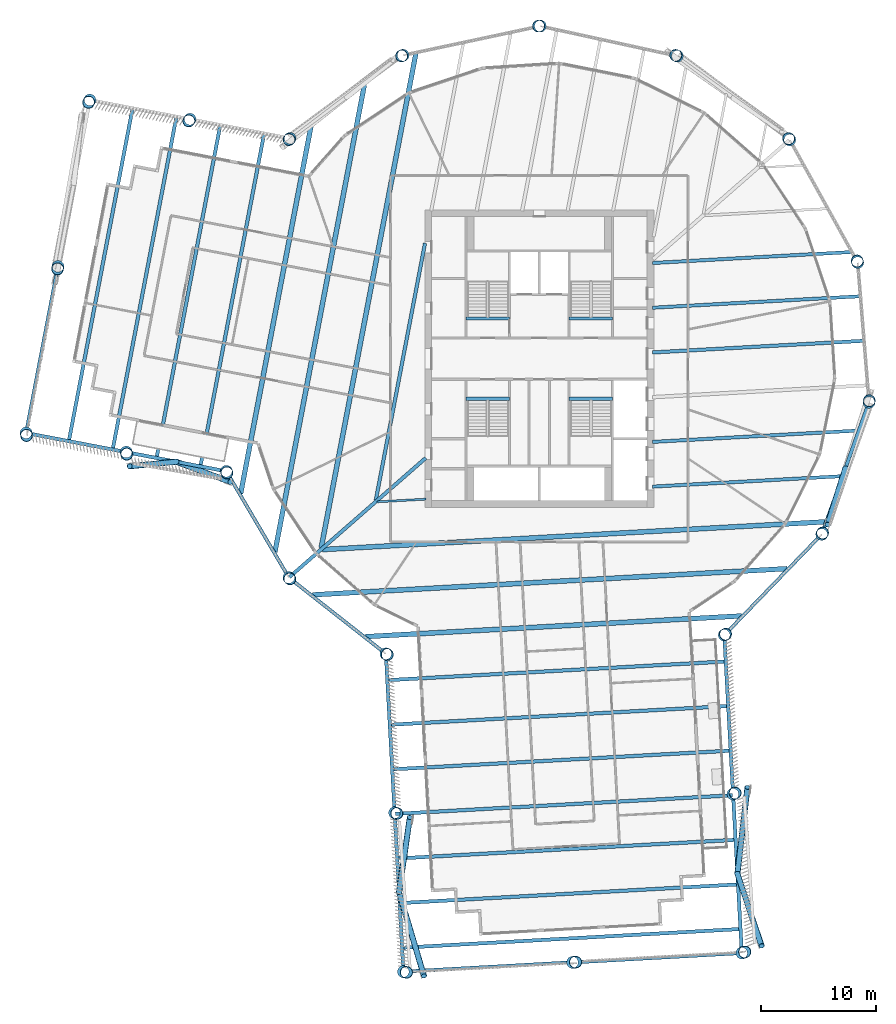
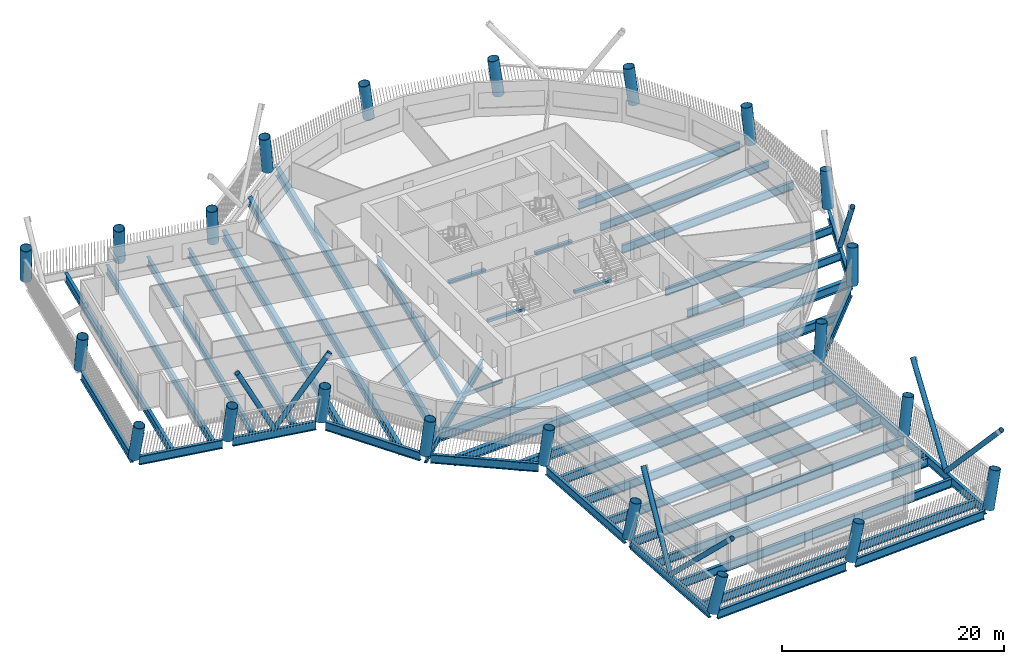
# One storey, part 1 of 23: 42 beams, 22 columns, 7 members.
"""IFC4 building model written with IfcOpenShell, lengths in metres."""

from ifc_helpers import new_model, si_unit, direction, frame, origin, origin_2d, place, context, subcontext, project, spatial, rectangle, hollow_circle, i_section, extrude, material, material_profile, profile_set, type_object, element, save


model = new_model("IFC4")

# Units and contexts
model_context = context("Model", 3, precision=1e-05, world=origin(), true_north=direction((0.0, 1.0)))
body_context = subcontext(model_context, "Body", "Model", "MODEL_VIEW")
ifc_project = project(units=[si_unit("LENGTHUNIT", "METRE"), si_unit("AREAUNIT", "SQUARE_METRE"), si_unit("VOLUMEUNIT", "CUBIC_METRE"), si_unit("PLANEANGLEUNIT", "RADIAN"), si_unit("MASSUNIT", "GRAM", prefix="KILO")], contexts=[model_context])

# Site, building, storey
site_placement = place(None, origin())
site = spatial("IfcSite", under=ifc_project, at=site_placement, CompositionType="ELEMENT")
building_placement = place(site_placement, origin())
building = spatial("IfcBuilding", under=site, at=building_placement, Name="Tarsis Ring Headquarters", CompositionType="ELEMENT")
storey_placement = place(building_placement, frame((0.0, 0.0, 239.39990234375)))
storey = spatial("IfcBuildingStorey", under=building, at=storey_placement, Name="L56", CompositionType="ELEMENT", Elevation=239.39990234375)

# Columns
ifc_material_1 = material(Name="Structural steel S355", Category="steel")
ifc_material_profile_1 = material_profile(ifc_material_1, hollow_circle(Radius=0.533447265625, WallThickness=0.044921875, at=origin_2d()), Name="CHS 1067x45")
ifc_profile_set_1 = profile_set([ifc_material_profile_1], Name="Structural steel S355")
column_type = type_object("IfcColumnType", Name="XC Exo column CHS 1067x45", PredefinedType="COLUMN", material=ifc_profile_set_1)
for number, where, z_axis, x_axis, name in (
    (1, (-21.869873046875, -19.118896484375, 0.001220703125), (0.082313761061, -0.092509725422, 0.992303580283), (0.747076821653, 0.664737709589, 0.0), "Exo column XC5 F1"),
    (2, (-13.3994140625, -25.7734375, 0.001220703125), (0.110352509289, -0.056202066703, 0.992302197615), (0.453828013493, 0.891089296406, 0.0), "Exo column XC5 AK"),
):
    element("IfcColumn", number, at=place(storey_placement, frame(where, z_axis=z_axis, x_axis=x_axis)), inside=storey, type_object=column_type, Name=name, PredefinedType="COLUMN", context=body_context, shape_type="SweptSolid", body=[
        extrude(hollow_circle(Radius=0.533447265625, WallThickness=0.044921875, at=origin_2d()), origin(), (0.0, 0.0, 1.0), 3.927001953125),
    ])
column_1_placement = place(storey_placement, frame((-12.633056640625, -39.654541015625, 0.00146484375), z_axis=(0.168166685995, -0.05200459145, 0.984385843148), x_axis=(0.295440044447, 0.955361282519, 0.0)))
element("IfcColumn", 3, at=column_1_placement, inside=storey, type_object=column_type, Name="Exo column XC5 AI1", PredefinedType="COLUMN", context=body_context, shape_type="SweptSolid", body=[
    extrude(hollow_circle(Radius=0.533447265625, WallThickness=0.044921875, at=origin_2d()), origin(), (0.0, 0.0, 1.0), 3.95751953125),
])
column_2_placement = place(storey_placement, frame((-11.866455078125, -53.53564453125, 0.001708984375), z_axis=(0.224228420883, -0.047774381919, 0.973364897508), x_axis=(0.208383914307, 0.978047107382, 0.0)))
element("IfcColumn", 4, at=column_2_placement, inside=storey, type_object=column_type, Name="Exo column XC5 AT1", PredefinedType="COLUMN", context=body_context, shape_type="SweptSolid", body=[
    extrude(hollow_circle(Radius=0.533447265625, WallThickness=0.044921875, at=origin_2d()), origin(), (0.0, 0.0, 1.0), 4.00146484375),
])
column_3_placement = place(storey_placement, frame((2.910888671875, -52.7197265625, 0.001708984375), z_axis=(0.220803824577, 0.014060044201, 0.975216891881), x_axis=(-0.063547929448, 0.997978787682, 0.0)))
element("IfcColumn", 5, at=column_3_placement, inside=storey, type_object=column_type, Name="Exo column XC5 AT2", PredefinedType="COLUMN", context=body_context, shape_type="SweptSolid", body=[
    extrude(hollow_circle(Radius=0.533447265625, WallThickness=0.044921875, at=origin_2d()), origin(), (0.0, 0.0, 1.0), 3.99365234375),
])
column_4_placement = place(storey_placement, frame((17.6884765625, -51.90380859375, 0.001708984375), z_axis=(0.216416522305, 0.075779340486, 0.973355731698), x_axis=(-0.330480798574, 0.943812715412, 0.0)))
element("IfcColumn", 6, at=column_4_placement, inside=storey, type_object=column_type, Name="Exo column XC5 AT3", PredefinedType="COLUMN", context=body_context, shape_type="SweptSolid", body=[
    extrude(hollow_circle(Radius=0.533447265625, WallThickness=0.044921875, at=origin_2d()), origin(), (0.0, 0.0, 1.0), 4.00146484375),
])
column_5_placement = place(storey_placement, frame((16.921875, -38.022705078125, 0.00146484375), z_axis=(0.160208746546, 0.072917496503, 0.984386202785), x_axis=(-0.41425177958, 0.910162327893, 0.0)))
element("IfcColumn", 7, at=column_5_placement, inside=storey, type_object=column_type, Name="Exo column XC5 AO1", PredefinedType="COLUMN", context=body_context, shape_type="SweptSolid", body=[
    extrude(hollow_circle(Radius=0.533447265625, WallThickness=0.044921875, at=origin_2d()), origin(), (0.0, 0.0, 1.0), 3.95751953125),
])
for number, where, z_axis, x_axis, name in (
    (8, (16.155517578125, -24.1416015625, 0.001220703125), (0.102332453109, 0.069755171561, 0.99230150916), (-0.563243359931, 0.826291061003, 0.0), "Exo column XC5 AJ"),
    (9, (24.670166015625, -15.336181640625, 0.001220703125), (0.064471041597, 0.105690232126, 0.992306938214), (-0.853703609872, 0.520759202022, 0.0), "Exo column XC5 R1"),
    (10, (28.79833984375, -3.803955078125, 0.001220703125), (0.015169577809, 0.122910882491, 0.99230176805), (-0.992469754461, 0.122489944405, 0.0), "Exo column XC5 R2"),
    (11, (27.80615234375, 8.404541015625, 0.001220703125), (-0.036804877093, 0.118248101741, 0.992301762297), (-0.954818795857, -0.29718860523, 0.0), "Exo column XC5 R3"),
    (12, (21.869873046875, 19.118896484375, 0.001220703125), (-0.082313761061, 0.092509725422, 0.992303580283), (-0.747076821653, -0.664737709589, 0.0), "Exo column XC5 R4"),
    (13, (12.044921875, 26.43359375, 0.001220703125), (-0.113088305124, 0.050420349343, 0.992304803786), (-0.407209695958, -0.913334694139, 0.0), "Exo column XC5 R5"),
    (14, (0.078369140625, 29.04833984375, 0.001220703125), (-0.123782192209, -0.000683879515, 0.992309176215), (0.00552477756, -0.9999847383, 0.0), "Exo column XC5 R6"),
    (15, (-11.902099609375, 26.498291015625, 0.001220703125), (-0.112528730877, -0.051663743292, 0.992304460514), (0.417242444036, -0.908795215048, 0.0), "Exo column XC5 R7"),
    (16, (-21.76611328125, 19.236572265625, 0.001220703125), (-0.081256840645, -0.093442258217, 0.992303315639), (0.754594713471, -0.656191144715, 0.0), "Exo column XC5 BJ"),
):
    element("IfcColumn", number, at=place(storey_placement, frame(where, z_axis=z_axis, x_axis=x_axis)), inside=storey, type_object=column_type, Name=name, PredefinedType="COLUMN", context=body_context, shape_type="SweptSolid", body=[
        extrude(hollow_circle(Radius=0.533447265625, WallThickness=0.044921875, at=origin_2d()), origin(), (0.0, 0.0, 1.0), 3.927001953125),
    ])
column_6_placement = place(storey_placement, frame((-30.509521484375, 20.910888671875, 0.00146484375), z_axis=(-0.087633152855, -0.130211972887, 0.987605828576), x_axis=(0.829615846633, -0.558334619217, 0.0)))
element("IfcColumn", 17, at=column_6_placement, inside=storey, type_object=column_type, Name="Exo column XC5 BO1", PredefinedType="COLUMN", context=body_context, shape_type="SweptSolid", body=[
    extrude(hollow_circle(Radius=0.533447265625, WallThickness=0.044921875, at=origin_2d()), origin(), (0.0, 0.0, 1.0), 3.94482421875),
])
column_7_placement = place(storey_placement, frame((-39.2529296875, 22.5849609375, 0.00146484375), z_axis=(-0.093877171657, -0.166345918847, 0.981588565502), x_axis=(0.870886569218, -0.491484062362, 0.0)))
element("IfcColumn", 18, at=column_7_placement, inside=storey, type_object=column_type, Name="Exo column XC5 BT3", PredefinedType="COLUMN", context=body_context, shape_type="SweptSolid", body=[
    extrude(hollow_circle(Radius=0.533447265625, WallThickness=0.044921875, at=origin_2d()), origin(), (0.0, 0.0, 1.0), 3.968505859375),
])
column_8_placement = place(storey_placement, frame((-42.036376953125, 8.049072265625, 0.00146484375), z_axis=(-0.032483822401, -0.177890534057, 0.983513985246), x_axis=(0.983733278746, -0.179635286867, 0.0)))
element("IfcColumn", 19, at=column_8_placement, inside=storey, type_object=column_type, Name="Exo column XC5 BT2", PredefinedType="COLUMN", context=body_context, shape_type="SweptSolid", body=[
    extrude(hollow_circle(Radius=0.533447265625, WallThickness=0.044921875, at=origin_2d()), origin(), (0.0, 0.0, 1.0), 3.960693359375),
])
column_9_placement = place(storey_placement, frame((-44.819580078125, -6.48681640625, 0.00146484375), z_axis=(0.028913711246, -0.188800382583, 0.981589737537), x_axis=(0.988475723721, 0.151379468931, 0.0)))
element("IfcColumn", 20, at=column_9_placement, inside=storey, type_object=column_type, Name="Exo column XC5 BT1", PredefinedType="COLUMN", context=body_context, shape_type="SweptSolid", body=[
    extrude(hollow_circle(Radius=0.533447265625, WallThickness=0.044921875, at=origin_2d()), origin(), (0.0, 0.0, 1.0), 3.968505859375),
])
column_10_placement = place(storey_placement, frame((-36.076171875, -8.1611328125, 0.00146484375), z_axis=(0.035895241254, -0.15274044037, 0.987614241256), x_axis=(0.973479208467, 0.2287755028, 0.0)))
element("IfcColumn", 21, at=column_10_placement, inside=storey, type_object=column_type, Name="Exo column XC5 BI1", PredefinedType="COLUMN", context=body_context, shape_type="SweptSolid", body=[
    extrude(hollow_circle(Radius=0.533447265625, WallThickness=0.044921875, at=origin_2d()), origin(), (0.0, 0.0, 1.0), 3.94482421875),
])
column_11_placement = place(storey_placement, frame((-27.332763671875, -9.835205078125, 0.001220703125), z_axis=(0.042897477438, -0.116196210627, 0.992299474486), x_axis=(0.938111528087, 0.346333308925, 0.0)))
element("IfcColumn", 22, at=column_11_placement, inside=storey, type_object=column_type, Name="Exo column XC5 BK", PredefinedType="COLUMN", context=body_context, shape_type="SweptSolid", body=[
    extrude(hollow_circle(Radius=0.533447265625, WallThickness=0.044921875, at=origin_2d()), origin(), (0.0, 0.0, 1.0), 3.927001953125),
])

# Beams
ifc_material_profile_2 = material_profile(ifc_material_1, i_section(OverallWidth=0.177734375, OverallDepth=0.406494140625, WebThickness=0.0078125, FlangeThickness=0.0126953125, at=origin_2d()), Name="W16x40")
ifc_profile_set_2 = profile_set([ifc_material_profile_2], Name="Structural steel S355")
beam_type_1 = type_object("IfcBeamType", Name="FB Floor beam W16x40", PredefinedType="JOIST", material=ifc_profile_set_2)
beam_1_placement = place(storey_placement, frame((-14.15625, -12.499267578125, -0.363037109375), z_axis=(0.998480903346, 0.055098871624, 0.0), x_axis=(-0.055098871624, 0.998480903346, 0.0)))
element("IfcBeam", 23, at=beam_1_placement, inside=storey, type_object=beam_type_1, Name="Floor beam FB1", PredefinedType="JOIST", context=body_context, shape_type="SweptSolid", body=[
    extrude(i_section(OverallWidth=0.177734375, OverallDepth=0.406494140625, WebThickness=0.0078125, FlangeThickness=0.0126953125, at=origin_2d()), origin(), (0.0, 0.0, 1.0), 4.2626953125),
])
ifc_material_profile_3 = material_profile(ifc_material_1, i_section(OverallWidth=0.2919921875, OverallDepth=0.835693359375, WebThickness=0.013916015625, FlangeThickness=0.018798828125, at=origin_2d()), Name="W33x118")
ifc_profile_set_3 = profile_set([ifc_material_profile_3], Name="Structural steel S355")
beam_type_2 = type_object("IfcBeamType", Name="FB Floor beam W33x118", PredefinedType="JOIST", material=ifc_profile_set_3)
beam_2_placement = place(storey_placement, frame((9.900146484375, 8.3583984375, -0.57763671875), z_axis=(0.998479685267, 0.05512094075, 0.0), x_axis=(-0.05512094075, 0.998479685267, 0.0)))
element("IfcBeam", 24, at=beam_2_placement, inside=storey, type_object=beam_type_2, Name="Floor beam FB7", PredefinedType="JOIST", context=body_context, shape_type="SweptSolid", body=[
    extrude(i_section(OverallWidth=0.2919921875, OverallDepth=0.835693359375, WebThickness=0.013916015625, FlangeThickness=0.018798828125, at=origin_2d()), origin(), (0.0, 0.0, 1.0), 17.353515625),
])
beam_3_placement = place(storey_placement, frame((9.900146484375, 4.452392578125, -0.57763671875), z_axis=(0.998479448559, 0.055125228395, 0.0), x_axis=(-0.055125228395, 0.998479448559, 0.0)))
element("IfcBeam", 25, at=beam_3_placement, inside=storey, type_object=beam_type_2, Name="Floor beam FB7", PredefinedType="JOIST", context=body_context, shape_type="SweptSolid", body=[
    extrude(i_section(OverallWidth=0.2919921875, OverallDepth=0.835693359375, WebThickness=0.013916015625, FlangeThickness=0.018798828125, at=origin_2d()), origin(), (0.0, 0.0, 1.0), 18.118408203125),
])
beam_4_placement = place(storey_placement, frame((9.900146484375, -7.265380859375, -0.57763671875), z_axis=(0.998479102403, 0.055131497941, 0.0), x_axis=(-0.055131497941, 0.998479102403, 0.0)))
element("IfcBeam", 26, at=beam_4_placement, inside=storey, type_object=beam_type_2, Name="Floor beam FB7", PredefinedType="JOIST", context=body_context, shape_type="SweptSolid", body=[
    extrude(i_section(OverallWidth=0.2919921875, OverallDepth=0.835693359375, WebThickness=0.013916015625, FlangeThickness=0.018798828125, at=origin_2d()), origin(), (0.0, 0.0, 1.0), 17.974609375),
])
beam_5_placement = place(storey_placement, frame((9.900146484375, -11.171142578125, -0.57763671875), z_axis=(0.998480219834, 0.055111256574, 0.0), x_axis=(-0.055111256574, 0.998480219834, 0.0)))
element("IfcBeam", 27, at=beam_5_placement, inside=storey, type_object=beam_type_2, Name="Floor beam FB7", PredefinedType="JOIST", context=body_context, shape_type="SweptSolid", body=[
    extrude(i_section(OverallWidth=0.2919921875, OverallDepth=0.835693359375, WebThickness=0.013916015625, FlangeThickness=0.018798828125, at=origin_2d()), origin(), (0.0, 0.0, 1.0), 16.5458984375),
])
ifc_material_profile_4 = material_profile(ifc_material_1, i_section(OverallWidth=0.3046875, OverallDepth=0.904296875, WebThickness=0.01513671875, FlangeThickness=0.02001953125, at=origin_2d()), Name="W36x135")
ifc_profile_set_4 = profile_set([ifc_material_profile_4], Name="Structural steel S355")
beam_type_3 = type_object("IfcBeamType", Name="FB Floor beam W36x135", PredefinedType="JOIST", material=ifc_profile_set_4)
beam_6_placement = place(storey_placement, frame((9.900146484375, 0.546630859375, -0.612060546875), z_axis=(0.998479769768, 0.055119410056, 0.0), x_axis=(-0.055119410056, 0.998479769768, 0.0)))
element("IfcBeam", 28, at=beam_6_placement, inside=storey, type_object=beam_type_3, Name="Floor beam FB8", PredefinedType="JOIST", context=body_context, shape_type="SweptSolid", body=[
    extrude(i_section(OverallWidth=0.3046875, OverallDepth=0.904296875, WebThickness=0.01513671875, FlangeThickness=0.02001953125, at=origin_2d()), origin(), (0.0, 0.0, 1.0), 18.434814453125),
])
ifc_material_profile_5 = material_profile(ifc_material_1, i_section(OverallWidth=0.3046875, OverallDepth=0.91943359375, WebThickness=0.017333984375, FlangeThickness=0.02783203125, at=origin_2d()), Name="W36x170")
ifc_profile_set_5 = profile_set([ifc_material_profile_5], Name="Structural steel S355")
beam_type_4 = type_object("IfcBeamType", Name="FB Floor beam W36x170", PredefinedType="JOIST", material=ifc_profile_set_5)
beam_7_placement = place(storey_placement, frame((-9.981201171875, 10.08642578125, -0.61962890625), z_axis=(-0.188066350728, -0.982156325502, 0.0), x_axis=(0.982156325502, -0.188066350728, 0.0)))
element("IfcBeam", 29, at=beam_7_placement, inside=storey, type_object=beam_type_4, Name="Floor beam FB9", PredefinedType="JOIST", context=body_context, shape_type="SweptSolid", body=[
    extrude(i_section(OverallWidth=0.3046875, OverallDepth=0.91943359375, WebThickness=0.017333984375, FlangeThickness=0.02783203125, at=origin_2d()), origin(), (0.0, 0.0, 1.0), 22.852783203125),
])
ifc_material_profile_6 = material_profile(ifc_material_1, i_section(OverallWidth=0.309814453125, OverallDepth=0.949951171875, WebThickness=0.0244140625, FlangeThickness=0.0439453125, at=origin_2d()), Name="W36x256")
ifc_profile_set_6 = profile_set([ifc_material_profile_6], Name="Structural steel S355")
beam_type_5 = type_object("IfcBeamType", Name="FB Floor beam W36x256", PredefinedType="JOIST", material=ifc_profile_set_6)
for number, where, z_axis, x_axis, name in (
    (30, (-13.2177734375, -28.0712890625, -0.635009765625), (0.998479297452, 0.055127965323, 0.0), (-0.055127965323, 0.998479297452, 0.0), "Floor beam FB11"),
    (31, (-13.002685546875, -31.96533203125, -0.635009765625), (0.998479753112, 0.055119711762, 0.0), (-0.055119711762, 0.998479753112, 0.0), "Floor beam FB11"),
    (32, (-12.787841796875, -35.859375, -0.635009765625), (0.998479753112, 0.055119711762, 0.0), (-0.055119711762, 0.998479753112, 0.0), "Floor beam FB11"),
    (33, (-12.57275390625, -39.75341796875, -0.635009765625), (0.998479753112, 0.055119711762, 0.0), (-0.055119711762, 0.998479753112, 0.0), "Floor beam FB11"),
    (34, (-12.35791015625, -43.6474609375, -0.635009765625), (0.998479753112, 0.055119711762, 0.0), (-0.055119711762, 0.998479753112, 0.0), "Floor beam FB11"),
    (35, (-12.142822265625, -47.541748046875, -0.635009765625), (0.998479297452, 0.055127965323, 0.0), (-0.055127965323, 0.998479297452, 0.0), "Floor beam FB11"),
):
    element("IfcBeam", number, at=place(storey_placement, frame(where, z_axis=z_axis, x_axis=x_axis)), inside=storey, type_object=beam_type_5, Name=name, PredefinedType="JOIST", context=body_context, shape_type="SweptSolid", body=[
        extrude(i_section(OverallWidth=0.309814453125, OverallDepth=0.949951171875, WebThickness=0.0244140625, FlangeThickness=0.0439453125, at=origin_2d()), origin(), (0.0, 0.0, 1.0), 29.490234375),
    ])
for number, where, z_axis, x_axis, name in (
    (36, (-11.927734375, -51.435791015625, -0.635009765625), (0.998479272291, 0.055128421022, 0.0), (-0.055128421022, 0.998479272291, 0.0), "Floor beam FB11"),
    (37, (-24.039794921875, 19.6162109375, -0.635009765625), (-0.188068022964, -0.982156005296, 0.0), (0.982156005296, -0.188068022964, 0.0), "Floor beam FB11"),
    (38, (-27.8701171875, 20.349609375, -0.635009765625), (-0.188068022964, -0.982156005296, 0.0), (0.982156005296, -0.188068022964, 0.0), "Floor beam FB11"),
    (39, (-31.70068359375, 21.0830078125, -0.635009765625), (-0.188068022964, -0.982156005296, 0.0), (0.982156005296, -0.188068022964, 0.0), "Floor beam FB11"),
    (40, (-35.531005859375, 21.816650390625, -0.635009765625), (-0.188068022964, -0.982156005296, 0.0), (0.982156005296, -0.188068022964, 0.0), "Floor beam FB11"),
):
    element("IfcBeam", number, at=place(storey_placement, frame(where, z_axis=z_axis, x_axis=x_axis)), inside=storey, type_object=beam_type_5, Name=name, PredefinedType="JOIST", context=body_context, shape_type="SweptSolid", body=[
        extrude(i_section(OverallWidth=0.309814453125, OverallDepth=0.949951171875, WebThickness=0.0244140625, FlangeThickness=0.0439453125, at=origin_2d()), origin(), (0.0, 0.0, 1.0), 29.489990234375),
    ])
beam_type_6 = type_object("IfcBeamType", Name="FB Floor beam W36x256 spine", PredefinedType="BEAM", material=ifc_profile_set_6)
beam_8_placement = place(storey_placement, frame((-9.9248046875, -8.67626953125, -0.635009765625), z_axis=(-0.752870325595, -0.658168878662, 0.0), x_axis=(0.658168878662, -0.752870325595, 0.0)))
element("IfcBeam", 41, at=beam_8_placement, inside=storey, type_object=beam_type_6, Name="Floor beam SB11", PredefinedType="BEAM", context=body_context, shape_type="SweptSolid", body=[
    extrude(i_section(OverallWidth=0.309814453125, OverallDepth=0.949951171875, WebThickness=0.0244140625, FlangeThickness=0.0439453125, at=origin_2d()), origin(), (0.0, 0.0, 1.0), 15.808349609375),
])
ifc_material_profile_7 = material_profile(ifc_material_1, i_section(OverallWidth=0.42431640625, OverallDepth=0.947509765625, WebThickness=0.02392578125, FlangeThickness=0.042724609375, at=origin_2d()), Name="W36x302")
ifc_profile_set_7 = profile_set([ifc_material_profile_7], Name="Structural steel S355")
beam_type_7 = type_object("IfcBeamType", Name="FB Floor beam W36x302", PredefinedType="JOIST", material=ifc_profile_set_7)
beam_9_placement = place(storey_placement, frame((-18.92529296875, -16.668701171875, -0.633544921875), z_axis=(0.998479404218, 0.055126031533, 0.0), x_axis=(-0.055126031533, 0.998479404218, 0.0)))
element("IfcBeam", 42, at=beam_9_placement, inside=storey, type_object=beam_type_7, Name="Floor beam FB12", PredefinedType="JOIST", context=body_context, shape_type="SweptSolid", body=[
    extrude(i_section(OverallWidth=0.42431640625, OverallDepth=0.947509765625, WebThickness=0.02392578125, FlangeThickness=0.042724609375, at=origin_2d()), origin(), (0.0, 0.0, 1.0), 43.986572265625),
])
beam_10_placement = place(storey_placement, frame((-19.810791015625, -20.623291015625, -0.633544921875), z_axis=(0.998479703569, 0.055120609228, 0.0), x_axis=(-0.055120609228, 0.998479703569, 0.0)))
element("IfcBeam", 43, at=beam_10_placement, inside=storey, type_object=beam_type_7, Name="Floor beam FB12", PredefinedType="JOIST", context=body_context, shape_type="SweptSolid", body=[
    extrude(i_section(OverallWidth=0.42431640625, OverallDepth=0.947509765625, WebThickness=0.02392578125, FlangeThickness=0.042724609375, at=origin_2d()), origin(), (0.0, 0.0, 1.0), 41.52392578125),
])
beam_11_placement = place(storey_placement, frame((-15.16552734375, -24.27294921875, -0.633544921875), z_axis=(0.998479464683, 0.055124936345, 0.0), x_axis=(-0.055124936345, 0.998479464683, 0.0)))
element("IfcBeam", 44, at=beam_11_placement, inside=storey, type_object=beam_type_7, Name="Floor beam FB12", PredefinedType="JOIST", context=body_context, shape_type="SweptSolid", body=[
    extrude(i_section(OverallWidth=0.42431640625, OverallDepth=0.947509765625, WebThickness=0.02392578125, FlangeThickness=0.042724609375, at=origin_2d()), origin(), (0.0, 0.0, 1.0), 32.87548828125),
])
beam_12_placement = place(storey_placement, frame((-10.77587890625, 26.673828125, -0.633544921875), z_axis=(-0.18806691679, -0.982156217111, 0.0), x_axis=(0.982156217111, -0.18806691679, 0.0)))
element("IfcBeam", 45, at=beam_12_placement, inside=storey, type_object=beam_type_7, Name="Floor beam FB12", PredefinedType="JOIST", context=body_context, shape_type="SweptSolid", body=[
    extrude(i_section(OverallWidth=0.42431640625, OverallDepth=0.947509765625, WebThickness=0.02392578125, FlangeThickness=0.042724609375, at=origin_2d()), origin(), (0.0, 0.0, 1.0), 43.98681640625),
])
beam_13_placement = place(storey_placement, frame((-15.276611328125, 23.906005859375, -0.633544921875), z_axis=(-0.18806816796, -0.982155977531, 0.0), x_axis=(0.982155977531, -0.18806816796, 0.0)))
element("IfcBeam", 46, at=beam_13_placement, inside=storey, type_object=beam_type_7, Name="Floor beam FB12", PredefinedType="JOIST", context=body_context, shape_type="SweptSolid", body=[
    extrude(i_section(OverallWidth=0.42431640625, OverallDepth=0.947509765625, WebThickness=0.02392578125, FlangeThickness=0.042724609375, at=origin_2d()), origin(), (0.0, 0.0, 1.0), 41.52392578125),
])
beam_14_placement = place(storey_placement, frame((-19.899169921875, 20.503173828125, -0.633544921875), z_axis=(-0.188062058889, -0.982157147307, 0.0), x_axis=(0.982157147307, -0.188062058889, 0.0)))
element("IfcBeam", 47, at=beam_14_placement, inside=storey, type_object=beam_type_7, Name="Floor beam FB12", PredefinedType="JOIST", context=body_context, shape_type="SweptSolid", body=[
    extrude(i_section(OverallWidth=0.42431640625, OverallDepth=0.947509765625, WebThickness=0.02392578125, FlangeThickness=0.042724609375, at=origin_2d()), origin(), (0.0, 0.0, 1.0), 32.87548828125),
])
ifc_material_2 = material(Name="Concrete C40/50", Category="concrete")
ifc_material_profile_8 = material_profile(ifc_material_2, rectangle(XDim=0.300048828125, YDim=0.300048828125, at=origin_2d()), Name="Stair head beam 300x300 C40/50")
ifc_profile_set_8 = profile_set([ifc_material_profile_8], Name="Concrete C40/50")
beam_type_8 = type_object("IfcBeamType", Name="Stair head beam 300x300 C40/50", PredefinedType="BEAM", material=ifc_profile_set_8)
for number, where, z_axis, x_axis, name in (
    (48, (-6.39990234375, 3.510009765625, -0.309814453125), (1.0, 0.0, 0.0), (0.0, 1.0, 0.0), "Stair head beam L56 Firefighting stair"),
    (49, (2.60009765625, 3.510009765625, -0.309814453125), (1.0, 0.0, 0.0), (0.0, 1.0, 0.0), "Stair head beam L56 Exit stair B"),
    (50, (-6.39990234375, -3.510009765625, -0.309814453125), (1.0, 0.0, 0.0), (0.0, 1.0, 0.0), "Stair head beam L56 Exit stair C"),
    (51, (2.60009765625, -3.510009765625, -0.309814453125), (1.0, 0.0, 0.0), (0.0, 1.0, 0.0), "Stair head beam L56 Exit stair D"),
):
    element("IfcBeam", number, at=place(storey_placement, frame(where, z_axis=z_axis, x_axis=x_axis)), inside=storey, type_object=beam_type_8, Name=name, PredefinedType="BEAM", context=body_context, shape_type="SweptSolid", body=[
        extrude(rectangle(XDim=0.300048828125, YDim=0.300048828125, at=origin_2d()), origin(), (0.0, 0.0, 1.0), 3.7998046875),
    ])

# Members
ifc_material_profile_9 = material_profile(ifc_material_1, hollow_circle(Radius=0.25390625, WallThickness=0.02001953125, at=origin_2d()), Name="CHS 508x20")
ifc_profile_set_9 = profile_set([ifc_material_profile_9], Name="Structural steel S355")
member_type = type_object("IfcMemberType", Name="XD X brace CHS 508x20", PredefinedType="BRACE", material=ifc_profile_set_9)
member_1_placement = place(storey_placement, frame((-12.25, -46.594970703125, 0.0), z_axis=(0.202064776172, -0.677601869587, 0.707124835204), x_axis=(0.958298221981, 0.285770043476, 0.0)))
element("IfcMember", 52, at=member_1_placement, inside=storey, type_object=member_type, Name="X brace XD2", PredefinedType="BRACE", context=body_context, shape_type="SweptSolid", body=[
    extrude(hollow_circle(Radius=0.25390625, WallThickness=0.02001953125, at=origin_2d()), origin(), (0.0, 0.0, 1.0), 10.783447265625),
])
member_2_placement = place(storey_placement, frame((-12.25, -46.594970703125, 0.0), z_axis=(0.09403395266, 0.648292235129, 0.75556256764), x_axis=(-0.989643569964, 0.143546523567, 0.0)))
element("IfcMember", 53, at=member_2_placement, inside=storey, type_object=member_type, Name="X brace XD2", PredefinedType="BRACE", context=body_context, shape_type="SweptSolid", body=[
    extrude(hollow_circle(Radius=0.25390625, WallThickness=0.02001953125, at=origin_2d()), origin(), (0.0, 0.0, 1.0), 10.089111328125),
])
member_3_placement = place(storey_placement, frame((17.304931640625, -44.96337890625, 0.0), z_axis=(0.081652381669, 0.70027989753, 0.709183300482), x_axis=(-0.993270800145, 0.115815014482, 0.0)))
element("IfcMember", 54, at=member_3_placement, inside=storey, type_object=member_type, Name="X brace XD2", PredefinedType="BRACE", context=body_context, shape_type="SweptSolid", body=[
    extrude(hollow_circle(Radius=0.25390625, WallThickness=0.02001953125, at=origin_2d()), origin(), (0.0, 0.0, 1.0), 10.7490234375),
])
member_4_placement = place(storey_placement, frame((17.304931640625, -44.96337890625, 0.0), z_axis=(0.208150085288, -0.624160924112, 0.753058220064), x_axis=(0.948639314405, 0.316359686378, 0.0)))
element("IfcMember", 55, at=member_4_placement, inside=storey, type_object=member_type, Name="X brace XD2", PredefinedType="BRACE", context=body_context, shape_type="SweptSolid", body=[
    extrude(hollow_circle(Radius=0.25390625, WallThickness=0.02001953125, at=origin_2d()), origin(), (0.0, 0.0, 1.0), 10.125732421875),
])
member_5_placement = place(storey_placement, frame((26.734130859375, -9.5703125, 0.0), z_axis=(-0.166223265926, -0.52556845668, 0.834354614782), x_axis=(0.953450109885, -0.30155080494, 0.0)))
element("IfcMember", 56, at=member_5_placement, inside=storey, type_object=member_type, Name="X brace XD2", PredefinedType="BRACE", context=body_context, shape_type="SweptSolid", body=[
    extrude(hollow_circle(Radius=0.25390625, WallThickness=0.02001953125, at=origin_2d()), origin(), (0.0, 0.0, 1.0), 9.3486328125),
])
member_6_placement = place(storey_placement, frame((-31.70458984375, -8.998046875, 0.0), z_axis=(0.508595958444, -0.190138664774, 0.839748438053), x_axis=(0.350178987565, 0.936682804725, 0.0)))
element("IfcMember", 57, at=member_6_placement, inside=storey, type_object=member_type, Name="X brace XD2", PredefinedType="BRACE", context=body_context, shape_type="SweptSolid", body=[
    extrude(hollow_circle(Radius=0.25390625, WallThickness=0.02001953125, at=origin_2d()), origin(), (0.0, 0.0, 1.0), 9.28857421875),
])
member_7_placement = place(storey_placement, frame((-31.70458984375, -8.998046875, 0.0), z_axis=(-0.462281337847, -0.044490108967, 0.885616505539), x_axis=(0.095797704743, -0.995400823672, 0.0)))
element("IfcMember", 58, at=member_7_placement, inside=storey, type_object=member_type, Name="X brace XD2", PredefinedType="BRACE", context=body_context, shape_type="SweptSolid", body=[
    extrude(hollow_circle(Radius=0.25390625, WallThickness=0.02001953125, at=origin_2d()), origin(), (0.0, 0.0, 1.0), 8.807373046875),
])

# Beams
beam_type_9 = type_object("IfcBeamType", Name="XG Ring girder W36x256", PredefinedType="BEAM", material=ifc_profile_set_6)
beam_15_placement = place(storey_placement, frame((-21.492431640625, -19.415283203125, -0.474853515625), z_axis=(0.786344241296, -0.617788583725, 0.0), x_axis=(0.617788583725, 0.786344241296, 0.0)))
element("IfcBeam", 59, at=beam_15_placement, inside=storey, type_object=beam_type_9, Name="Ring girder XG2", PredefinedType="BEAM", context=body_context, shape_type="SweptSolid", body=[
    extrude(i_section(OverallWidth=0.309814453125, OverallDepth=0.949951171875, WebThickness=0.0244140625, FlangeThickness=0.0439453125, at=origin_2d()), origin(), (0.0, 0.0, 1.0), 9.811767578125),
])
for number, where, z_axis, x_axis, name in (
    (60, (-13.373291015625, -26.252685546875, -0.474853515625), (0.055139865214, -0.998478640365, 0.0), (0.998478640365, 0.055139865214, 0.0), "Ring girder XG2"),
    (61, (-12.60693359375, -40.1337890625, -0.474853515625), (0.055139865214, -0.998478640365, 0.0), (0.998478640365, 0.055139865214, 0.0), "Ring girder XG2"),
):
    element("IfcBeam", number, at=place(storey_placement, frame(where, z_axis=z_axis, x_axis=x_axis)), inside=storey, type_object=beam_type_9, Name=name, PredefinedType="BEAM", context=body_context, shape_type="SweptSolid", body=[
        extrude(i_section(OverallWidth=0.309814453125, OverallDepth=0.949951171875, WebThickness=0.0244140625, FlangeThickness=0.0439453125, at=origin_2d()), origin(), (0.0, 0.0, 1.0), 12.942138671875),
    ])
for number, where, z_axis, x_axis, name in (
    (62, (-11.3876953125, -53.509033203125, -0.474853515625), (0.998479399841, 0.055126110818, 0.0), (-0.055126110818, 0.998479399841, 0.0), "Ring girder XG2"),
    (63, (3.389892578125, -52.693359375, -0.474853515625), (0.998479399841, 0.055126110818, 0.0), (-0.055126110818, 0.998479399841, 0.0), "Ring girder XG2"),
):
    element("IfcBeam", number, at=place(storey_placement, frame(where, z_axis=z_axis, x_axis=x_axis)), inside=storey, type_object=beam_type_9, Name=name, PredefinedType="BEAM", context=body_context, shape_type="SweptSolid", body=[
        extrude(i_section(OverallWidth=0.309814453125, OverallDepth=0.949951171875, WebThickness=0.0244140625, FlangeThickness=0.0439453125, at=origin_2d()), origin(), (0.0, 0.0, 1.0), 13.83984375),
    ])
for number, where, z_axis, x_axis, name in (
    (64, (17.66162109375, -51.424560546875, -0.474853515625), (-0.055121058405, 0.998479678772, 0.0), (-0.998479678772, -0.055121058405, 0.0), "Ring girder XG2"),
    (65, (16.895263671875, -37.54345703125, -0.474853515625), (-0.055121058405, 0.998479678772, 0.0), (-0.998479678772, -0.055121058405, 0.0), "Ring girder XG2"),
):
    element("IfcBeam", number, at=place(storey_placement, frame(where, z_axis=z_axis, x_axis=x_axis)), inside=storey, type_object=beam_type_9, Name=name, PredefinedType="BEAM", context=body_context, shape_type="SweptSolid", body=[
        extrude(i_section(OverallWidth=0.309814453125, OverallDepth=0.949951171875, WebThickness=0.0244140625, FlangeThickness=0.0439453125, at=origin_2d()), origin(), (0.0, 0.0, 1.0), 12.942138671875),
    ])
beam_16_placement = place(storey_placement, frame((16.489013671875, -23.796630859375, -0.474853515625), z_axis=(0.695145064124, 0.718869487337, 0.0), x_axis=(-0.718869487337, 0.695145064124, 0.0)))
element("IfcBeam", 66, at=beam_16_placement, inside=storey, type_object=beam_type_9, Name="Ring girder XG2", PredefinedType="BEAM", context=body_context, shape_type="SweptSolid", body=[
    extrude(i_section(OverallWidth=0.309814453125, OverallDepth=0.949951171875, WebThickness=0.0244140625, FlangeThickness=0.0439453125, at=origin_2d()), origin(), (0.0, 0.0, 1.0), 11.288818359375),
])
beam_17_placement = place(storey_placement, frame((24.831787109375, -14.88427734375, -0.474853515625), z_axis=(0.337036395108, 0.941491618854, 0.0), x_axis=(-0.941491618854, 0.337036395108, 0.0)))
element("IfcBeam", 67, at=beam_17_placement, inside=storey, type_object=beam_type_9, Name="Ring girder XG2", PredefinedType="BEAM", context=body_context, shape_type="SweptSolid", body=[
    extrude(i_section(OverallWidth=0.309814453125, OverallDepth=0.949951171875, WebThickness=0.0244140625, FlangeThickness=0.0439453125, at=origin_2d()), origin(), (0.0, 0.0, 1.0), 11.28857421875),
])
beam_18_placement = place(storey_placement, frame((-42.12646484375, 7.577880859375, -0.474853515625), z_axis=(-0.188079873788, -0.982153735968, 0.0), x_axis=(0.982153735968, -0.188079873788, 0.0)))
element("IfcBeam", 68, at=beam_18_placement, inside=storey, type_object=beam_type_9, Name="Ring girder XG2", PredefinedType="BEAM", context=body_context, shape_type="SweptSolid", body=[
    extrude(i_section(OverallWidth=0.309814453125, OverallDepth=0.949951171875, WebThickness=0.0244140625, FlangeThickness=0.0439453125, at=origin_2d()), origin(), (0.0, 0.0, 1.0), 13.840087890625),
])
for number, where, z_axis, x_axis, name in (
    (69, (-44.34814453125, -6.576904296875, -0.474853515625), (0.982155675144, -0.188069747121, 0.0), (0.188069747121, 0.982155675144, 0.0), "Ring girder XG2"),
    (70, (-35.604736328125, -8.251220703125, -0.474853515625), (0.982155675144, -0.188069747121, 0.0), (0.188069747121, 0.982155675144, 0.0), "Ring girder XG2"),
):
    element("IfcBeam", number, at=place(storey_placement, frame(where, z_axis=z_axis, x_axis=x_axis)), inside=storey, type_object=beam_type_9, Name=name, PredefinedType="BEAM", context=body_context, shape_type="SweptSolid", body=[
        extrude(i_section(OverallWidth=0.309814453125, OverallDepth=0.949951171875, WebThickness=0.0244140625, FlangeThickness=0.0439453125, at=origin_2d()), origin(), (0.0, 0.0, 1.0), 7.94189453125),
    ])
beam_19_placement = place(storey_placement, frame((-27.08935546875, -10.248779296875, -0.474853515625), z_axis=(0.507165835342, -0.861848487533, 0.0), x_axis=(0.861848487533, 0.507165835342, 0.0)))
element("IfcBeam", 71, at=beam_19_placement, inside=storey, type_object=beam_type_9, Name="Ring girder XG2", PredefinedType="BEAM", context=body_context, shape_type="SweptSolid", body=[
    extrude(i_section(OverallWidth=0.309814453125, OverallDepth=0.949951171875, WebThickness=0.0244140625, FlangeThickness=0.0439453125, at=origin_2d()), origin(), (0.0, 0.0, 1.0), 9.8115234375),
])

save(model, "model.ifc")
